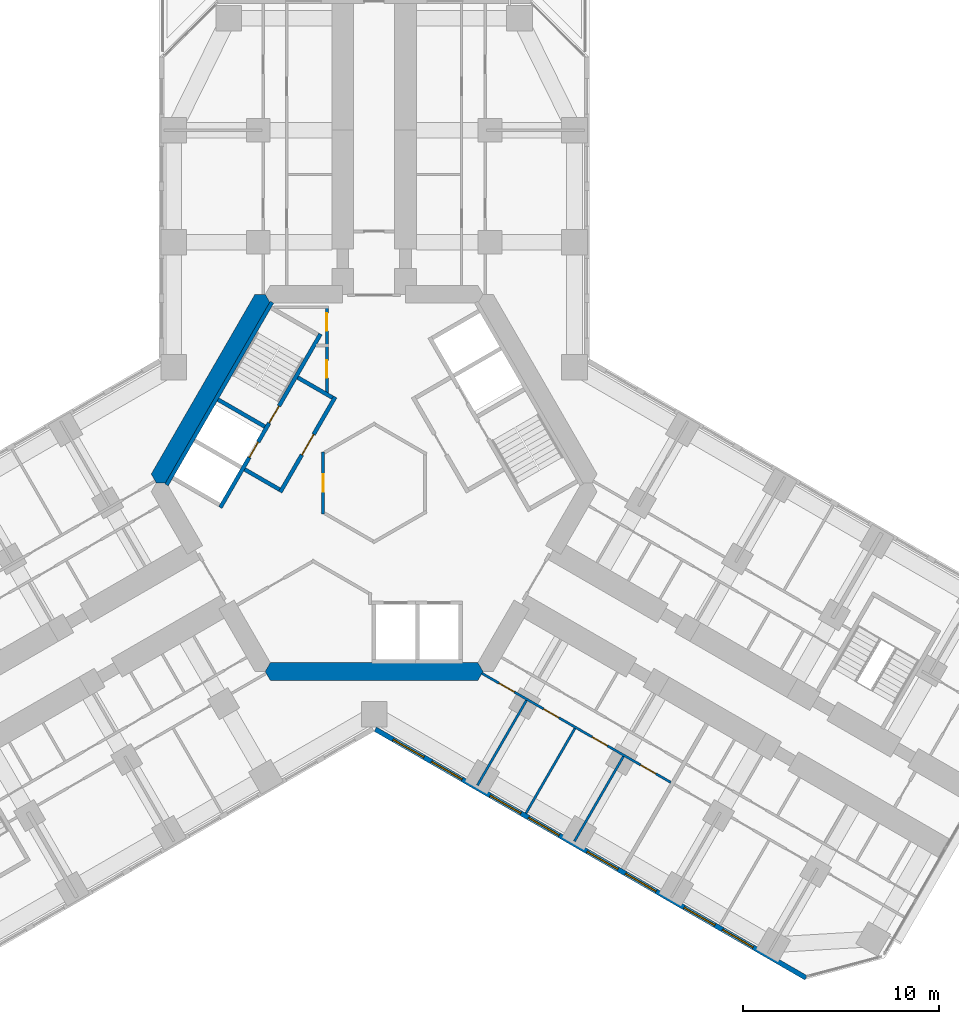
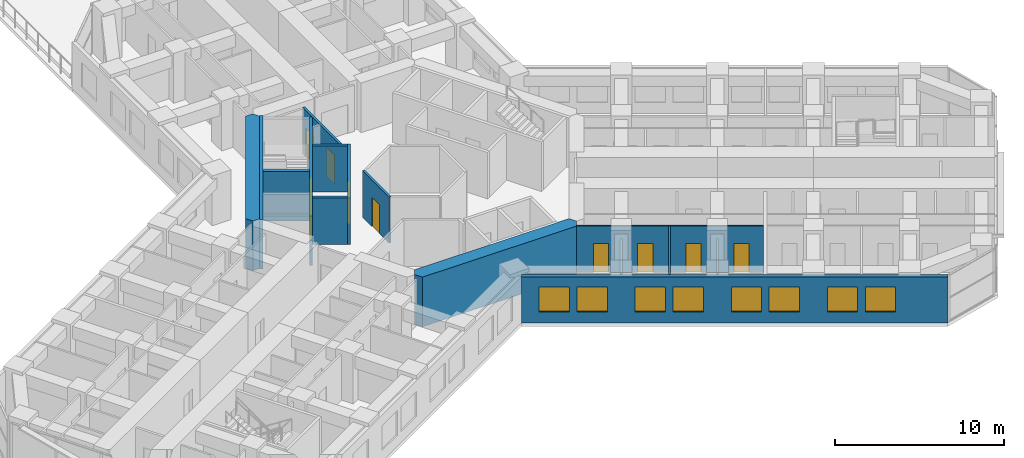
# One storey, part 13 of 19: 15 walls, 10 doors, 8 windows, 18 openings.
"""IFC4 building model written with IfcOpenShell, lengths in metres."""

import ifcopenshell
import ifcopenshell.guid

model = None  # the IFC model being written
_history = None  # IfcOwnerHistory: only IFC2X3 demands one
_inside = {}  # id of a spatial element -> (the spatial element, [elements in it])
_under = {}  # id of a project, library or spatial element -> (it, [spatial elements below it])
_declared = {}  # id of a project -> (the project, [libraries it declares])
_typed = {}  # id of a type object -> (the type object, [elements of that type])
_made_of = {}  # id of a material, layer set ... -> (it, [elements and type objects made of it])


def new_model(schema):
    """Start an empty IFC model of exactly this schema.

    Asked for "IFC4X3", IfcOpenShell would pick the latest addendum, in which some entities
    have other attributes; the version numbers below select the first issue.
    IFC2X3 requires an IfcOwnerHistory on every rooted entity: one is made here for all.
    """
    global model, _history
    if schema == "IFC4X3":
        model = ifcopenshell.file(schema_version=(4, 3, 0, 0))
    else:
        model = ifcopenshell.file(schema=schema)
    _inside.clear()
    _under.clear()
    _declared.clear()
    _typed.clear()
    _made_of.clear()
    _history = None
    if model.schema == "IFC2X3":
        org = make("IfcOrganization", Name="unknown")
        user = make(
            "IfcPersonAndOrganization",
            ThePerson=make("IfcPerson", FamilyName="unknown"),
            TheOrganization=org,
        )
        app = make(
            "IfcApplication",
            ApplicationDeveloper=org,
            Version="unknown",
            ApplicationFullName="unknown",
            ApplicationIdentifier="unknown",
        )
        _history = make(
            "IfcOwnerHistory",
            OwningUser=user,
            OwningApplication=app,
            ChangeAction="ADDED",
            CreationDate=0,
        )
    return model


def make(cls, **values):
    """One entity of the class cls with the attributes given. An attribute that is None is left unset."""
    return model.create_entity(
        cls, **{name: value for name, value in values.items() if value is not None}
    )


def rooted(cls, **values):
    """An entity with a GlobalId (a new one), such as an element, a storey or a relation."""
    return make(cls, GlobalId=ifcopenshell.guid.new(), OwnerHistory=_history, **values)


def si_unit(unit_type, name, prefix=None):
    """IfcSIUnit, for example si_unit("LENGTHUNIT", "METRE", prefix="MILLI")."""
    return make("IfcSIUnit", UnitType=unit_type, Prefix=prefix, Name=name)


def assignment(units):
    """IfcUnitAssignment: the units of a project."""
    return None if units is None else make("IfcUnitAssignment", Units=units)


def point(xyz):
    """IfcCartesianPoint."""
    return None if xyz is None else make("IfcCartesianPoint", Coordinates=xyz)


def direction(xyz):
    """IfcDirection."""
    return None if xyz is None else make("IfcDirection", DirectionRatios=xyz)


def frame(location, z_axis=None, x_axis=None):
    """IfcAxis2Placement3D, a coordinate frame: its origin and axes. An axis left out is left unset."""
    return make(
        "IfcAxis2Placement3D",
        Location=point(location),
        Axis=direction(z_axis),
        RefDirection=direction(x_axis),
    )


def frame_2d(location, x_axis=None):
    """IfcAxis2Placement2D, a coordinate frame in the plane: its origin and x axis."""
    return make(
        "IfcAxis2Placement2D", Location=point(location), RefDirection=direction(x_axis)
    )


def origin():
    """The frame at (0, 0, 0) with its axes left unset."""
    return frame((0.0, 0.0, 0.0))


def place(relative_to, where):
    """IfcLocalPlacement: puts the frame where relative to a parent placement (None: the world)."""
    return make(
        "IfcLocalPlacement", PlacementRelTo=relative_to, RelativePlacement=where
    )


def context(
    kind, dimensions, precision=None, world=None, true_north=None, identifier=None
):
    """IfcGeometricRepresentationContext, for example the 3D "Model" context."""
    return make(
        "IfcGeometricRepresentationContext",
        ContextIdentifier=identifier,
        ContextType=kind,
        CoordinateSpaceDimension=dimensions,
        Precision=precision,
        WorldCoordinateSystem=world,
        TrueNorth=true_north,
    )


def subcontext(parent, identifier, kind, view, scale=None):
    """IfcGeometricRepresentationSubContext, for example "Body" below "Model"."""
    return make(
        "IfcGeometricRepresentationSubContext",
        ContextIdentifier=identifier,
        ContextType=kind,
        ParentContext=parent,
        TargetScale=scale,
        TargetView=view,
    )


def project(units=None, contexts=None):
    """IfcProject with its units and contexts."""
    return rooted(
        "IfcProject",
        Name="project",
        RepresentationContexts=contexts,
        UnitsInContext=assignment(units),
    )


def spatial(cls, under=None, at=None, **own):
    """A site, building, storey or space (cls), placed at a placement, below another one or the project."""
    s = rooted(cls, ObjectPlacement=at, **own)
    if under is not None:
        _under.setdefault(under.id(), (under, []))[1].append(s)
    return s


def polyline(points):
    """IfcPolyline through the points."""
    return make("IfcPolyline", Points=[point(p) for p in points])


def profile(cls, at=None, kind="AREA", **sizes):
    """A parametric profile (cls). Its sizes go by their IFC names, for example OverallWidth=200.0."""
    return make(cls, ProfileType=kind, Position=at, **sizes)


def rectangle(**sizes):
    """IfcRectangleProfileDef."""
    return profile("IfcRectangleProfileDef", **sizes)


def outline(outer, holes=None, kind="AREA"):
    """IfcArbitraryClosedProfileDef: a profile drawn as a closed curve; with holes, ...WithVoids."""
    if holes is None:
        return make("IfcArbitraryClosedProfileDef", ProfileType=kind, OuterCurve=outer)
    return make(
        "IfcArbitraryProfileDefWithVoids",
        ProfileType=kind,
        OuterCurve=outer,
        InnerCurves=holes,
    )


def extrude(swept, where, along, depth):
    """IfcExtrudedAreaSolid: the profile swept, set in the frame where, extruded along a direction by depth."""
    return make(
        "IfcExtrudedAreaSolid",
        SweptArea=swept,
        Position=where,
        ExtrudedDirection=direction(along),
        Depth=depth,
    )


def shape(context_of_items, identifier, shape_type, items):
    """IfcShapeRepresentation: the items that make up one representation, for example the "Body"."""
    return make(
        "IfcShapeRepresentation",
        ContextOfItems=context_of_items,
        RepresentationIdentifier=identifier,
        RepresentationType=shape_type,
        Items=items,
    )


def material(Name=None, Category=None):
    """IfcMaterial."""
    return make("IfcMaterial", Name=Name, Category=Category)


def layer(
    of_material, thickness, ventilated=None, Name=None, Category=None, Priority=None
):
    """IfcMaterialLayer: one layer of a wall or slab, of a material (None: an air gap)."""
    return make(
        "IfcMaterialLayer",
        Material=of_material,
        LayerThickness=thickness,
        IsVentilated=ventilated,
        Name=Name,
        Category=Category,
        Priority=Priority,
    )


def layer_set(layers, Name=None):
    """IfcMaterialLayerSet."""
    return make("IfcMaterialLayerSet", MaterialLayers=layers, LayerSetName=Name)


def made_of(thing, what):
    """Note that an element or type object is made of a material, layer set ...; save() writes the relation."""
    if what is not None:
        _made_of.setdefault(what.id(), (what, []))[1].append(thing)
    return thing


def type_object(cls, material=None, **own):
    """A type object (cls), such as IfcWallType, which elements share."""
    return made_of(rooted(cls, **own), material)


def element(
    cls,
    number,
    at=None,
    inside=None,
    cuts=None,
    type_object=None,
    material=None,
    context=None,
    identifier="Body",
    shape_type=None,
    held_by="IfcProductDefinitionShape",
    body=None,
    shapes=None,
    **own,
):
    """One element of the class cls, such as IfcWall. Its Tag is "e" and its number.

    at: its placement. inside: the storey or other place that contains it. cuts: it is an
    opening in that element (IfcRelVoidsElement). A single representation is given by context,
    identifier, shape_type and body (its items); several are given by shapes. held_by: the class
    of the entity that holds the representations. save() writes the other relations.
    """
    e = rooted(cls, Tag="e%d" % number, ObjectPlacement=at, **own)
    if body is not None:
        shapes = [shape(context, identifier, shape_type, body)]
    if shapes is not None:
        e.Representation = make(held_by, Representations=shapes)
    if inside is not None:
        _inside.setdefault(inside.id(), (inside, []))[1].append(e)
    if cuts is not None:
        rooted(
            "IfcRelVoidsElement", RelatingBuildingElement=cuts, RelatedOpeningElement=e
        )
    if type_object is not None:
        _typed.setdefault(type_object.id(), (type_object, []))[1].append(e)
    return made_of(e, material)


def fill(opening, filler):
    """IfcRelFillsElement: the door or window that sits in an opening."""
    return rooted(
        "IfcRelFillsElement",
        RelatingOpeningElement=opening,
        RelatedBuildingElement=filler,
    )


def aggregate(whole, parts):
    """IfcRelAggregates: a whole, such as a stair, and the parts it consists of."""
    return rooted("IfcRelAggregates", RelatingObject=whole, RelatedObjects=parts)


def save(model, path):
    """Write the relations noted so far, then the file.

    IfcRelAggregates (storeys below a building ...), IfcRelContainedInSpatialStructure (elements
    in a storey), IfcRelDefinesByType, IfcRelAssociatesMaterial and IfcRelDeclares: one each for
    every whole, place, type object, material and project.
    """
    for whole, parts in _under.values():
        aggregate(whole, parts)
    for where, things in _inside.values():
        rooted(
            "IfcRelContainedInSpatialStructure",
            RelatedElements=things,
            RelatingStructure=where,
        )
    for kind, things in _typed.values():
        rooted("IfcRelDefinesByType", RelatedObjects=things, RelatingType=kind)
    for what, things in _made_of.values():
        rooted("IfcRelAssociatesMaterial", RelatedObjects=things, RelatingMaterial=what)
    for by, libraries in _declared.values():
        rooted("IfcRelDeclares", RelatingContext=by, RelatedDefinitions=libraries)
    model.write(path)


model = new_model("IFC4")

# Units and contexts
model_context = context("Model", 3, precision=1e-05, world=origin(), true_north=direction((0.0, 1.0)))
body_context = subcontext(model_context, "Body", "Model", "MODEL_VIEW")
ifc_project = project(units=[si_unit("LENGTHUNIT", "METRE"), si_unit("AREAUNIT", "SQUARE_METRE"), si_unit("VOLUMEUNIT", "CUBIC_METRE"), si_unit("PLANEANGLEUNIT", "RADIAN"), si_unit("MASSUNIT", "GRAM", prefix="KILO")], contexts=[model_context])

# Site, building, storey
site_placement = place(None, origin())
site = spatial("IfcSite", under=ifc_project, at=site_placement, CompositionType="ELEMENT")
building_placement = place(site_placement, origin())
building = spatial("IfcBuilding", under=site, at=building_placement, Name="Kosmar Iwan School Tower", CompositionType="ELEMENT")
storey_placement = place(building_placement, frame((0.0, 0.0, 120.199951171875)))
storey = spatial("IfcBuildingStorey", under=building, at=storey_placement, Name="L29", CompositionType="ELEMENT", Elevation=120.199951171875)

# Wall, openings, doors
ifc_material_1 = material(Name="Gypsum board on steel studs, fire-rated", Category="steel")
ifc_layer_1 = layer(ifc_material_1, 0.14990234375)
ifc_layer_set_1 = layer_set([ifc_layer_1], Name="Core room partition 150")
wall_type_1 = type_object("IfcWallType", Name="Core room partition 150", PredefinedType="PARTITIONING", material=ifc_layer_set_1)
wall_1_placement = place(storey_placement, frame((-2.39990234375, 9.014892578125, 0.0), z_axis=(0.0, 0.0, 1.0), x_axis=(0.0, -1.0, 0.0)))
wall_1 = element("IfcWall", 1, at=wall_1_placement, inside=storey, type_object=wall_type_1, Name="Core room partition L29-CW1", PredefinedType="PARTITIONING", context=body_context, shape_type="SweptSolid", body=[
    extrude(rectangle(XDim=4.484130859375, YDim=0.14990234375, at=frame_2d((2.2421875, 0.0))), origin(), (0.0, 0.0, 1.0), 3.35009765625),
])
opening_1_placement = place(wall_1_placement, frame((0.375, 0.0, 0.0)))
opening_1 = element("IfcOpeningElement", 2, at=opening_1_placement, cuts=wall_1, Name="Opening D14", PredefinedType="OPENING", context=body_context, shape_type="SweptSolid", body=[
    extrude(rectangle(XDim=0.89990234375, YDim=2.10009765625, at=frame_2d((0.449951171875, 1.050048828125))), frame((0.0, 0.0869140625, 0.0), z_axis=(0.0, -1.0, 0.0), x_axis=(1.0, 0.0, 0.0)), (0.0, 0.0, 1.0), 0.173828125),
])
opening_2_placement = place(wall_1_placement, frame((2.77490234375, 0.0, 0.0)))
opening_2 = element("IfcOpeningElement", 3, at=opening_2_placement, cuts=wall_1, Name="Opening D14", PredefinedType="OPENING", context=body_context, shape_type="SweptSolid", body=[
    extrude(rectangle(XDim=0.89990234375, YDim=2.10009765625, at=frame_2d((0.449951171875, 1.050048828125))), frame((0.0, 0.0869140625, 0.0), z_axis=(0.0, -1.0, 0.0), x_axis=(1.0, 0.0, 0.0)), (0.0, 0.0, 1.0), 0.173828125),
])
ifc_material_2 = material(Name="Timber fire door in steel frame", Category="steel")
door_type_1 = type_object("IfcDoorType", Name="Core room door 900x2100", OperationType="SINGLE_SWING_LEFT", PredefinedType="DOOR", material=ifc_material_2)
door_1_placement = place(opening_1_placement, origin())
door_1 = element("IfcDoor", 4, at=door_1_placement, inside=storey, type_object=door_type_1, Name="Electrical riser and switch room door L29 1", OperationType="SINGLE_SWING_LEFT", OverallHeight=2.10009765625, OverallWidth=0.89990234375, PredefinedType="DOOR", context=body_context, shape_type="SweptSolid", body=[
    extrude(rectangle(XDim=0.89990234375, YDim=2.10009765625, at=frame_2d((0.449951171875, 1.050048828125))), frame((0.0, 0.02490234375, 0.0), z_axis=(0.0, -1.0, 0.0), x_axis=(1.0, 0.0, 0.0)), (0.0, 0.0, 1.0), 0.050048828125),
])
fill(opening_1, door_1)
door_2_placement = place(opening_2_placement, origin())
door_2 = element("IfcDoor", 5, at=door_2_placement, inside=storey, type_object=door_type_1, Name="Plumbing and wet riser door L29 2", OperationType="SINGLE_SWING_RIGHT", OverallHeight=2.10009765625, OverallWidth=0.89990234375, PredefinedType="DOOR", context=body_context, shape_type="SweptSolid", body=[
    extrude(rectangle(XDim=0.89990234375, YDim=2.10009765625, at=frame_2d((0.449951171875, 1.050048828125))), frame((0.0, 0.02490234375, 0.0), z_axis=(0.0, -1.0, 0.0), x_axis=(1.0, 0.0, 0.0)), (0.0, 0.0, 1.0), 0.050048828125),
])
fill(opening_2, door_2)

# Wall, opening, door
wall_2_placement = place(storey_placement, frame((-2.60009765625, -1.576171875, 0.0), z_axis=(0.0, 0.0, 1.0), x_axis=(0.0, 1.0, 0.0)))
wall_2 = element("IfcWall", 6, at=wall_2_placement, inside=storey, type_object=wall_type_1, Name="Core room partition L29-CW10", PredefinedType="PARTITIONING", context=body_context, shape_type="SweptSolid", body=[
    extrude(rectangle(XDim=3.15234375, YDim=0.14990234375, at=frame_2d((1.576171875, 0.0))), origin(), (0.0, 0.0, 1.0), 3.35009765625),
])
opening_3_placement = place(wall_2_placement, frame((1.1259765625, 0.0, 0.0)))
opening_3 = element("IfcOpeningElement", 7, at=opening_3_placement, cuts=wall_2, Name="Opening D14", PredefinedType="OPENING", context=body_context, shape_type="SweptSolid", body=[
    extrude(rectangle(XDim=0.89990234375, YDim=2.10009765625, at=frame_2d((0.449951171875, 1.050048828125))), frame((0.0, 0.0869140625, 0.0), z_axis=(0.0, -1.0, 0.0), x_axis=(1.0, 0.0, 0.0)), (0.0, 0.0, 1.0), 0.173828125),
])
door_3_placement = place(opening_3_placement, origin())
door_3 = element("IfcDoor", 8, at=door_3_placement, inside=storey, type_object=door_type_1, Name="Bicycle repair room door L29 4", OperationType="SINGLE_SWING_RIGHT", OverallHeight=2.10009765625, OverallWidth=0.89990234375, PredefinedType="DOOR", context=body_context, shape_type="SweptSolid", body=[
    extrude(rectangle(XDim=0.89990234375, YDim=2.10009765625, at=frame_2d((0.449951171875, 1.050048828125))), frame((0.0, 0.02490234375, 0.0), z_axis=(0.0, -1.0, 0.0), x_axis=(1.0, 0.0, 0.0)), (0.0, 0.0, 1.0), 0.050048828125),
])
fill(opening_3, door_3)

# Walls
ifc_material_3 = material(Name="Concrete C50/60", Category="concrete")
ifc_layer_2 = layer(ifc_material_3, 0.89990234375)
ifc_layer_set_2 = layer_set([ifc_layer_2], Name="Core wall 900")
wall_type_2 = type_object("IfcWallType", Name="Core wall 900", PredefinedType="SHEAR", material=ifc_layer_set_2)
wall_3_placement = place(storey_placement, origin())
element("IfcWall", 9, at=wall_3_placement, inside=storey, type_object=wall_type_2, Name="Core wall F150", PredefinedType="SHEAR", context=body_context, shape_type="SweptSolid", body=[
    extrude(outline(polyline([(-11.085205078125, 0.0), (-10.5654296875, 0.0), (-5.28271484375, 9.14990234375), (-5.54248046875, 9.60009765625), (-6.062255859375, 9.60009765625), (-11.344970703125, 0.449951171875), (-11.085205078125, 0.0)])), origin(), (0.0, 0.0, 1.0), 3.60009765625),
])
wall_4_placement = place(storey_placement, origin())
element("IfcWall", 10, at=wall_4_placement, inside=storey, type_object=wall_type_2, Name="Core wall F270", PredefinedType="SHEAR", context=body_context, shape_type="SweptSolid", body=[
    extrude(outline(polyline([(-5.28271484375, -10.050048828125), (5.28271484375, -10.050048828125), (5.54248046875, -9.60009765625), (5.28271484375, -9.14990234375), (-5.28271484375, -9.14990234375), (-5.54248046875, -9.60009765625), (-5.28271484375, -10.050048828125)])), origin(), (0.0, 0.0, 1.0), 3.60009765625),
])

# Wall, openings, doors
ifc_material_4 = material(Name="Gypsum board on steel studs", Category="steel")
ifc_layer_3 = layer(ifc_material_4, 0.1201171875)
ifc_layer_set_3 = layer_set([ifc_layer_3], Name="Dwelling partition 120")
wall_type_3 = type_object("IfcWallType", Name="Dwelling partition 120", PredefinedType="PARTITIONING", material=ifc_layer_set_3)
wall_5_placement = place(storey_placement, frame((5.48876953125, -9.693115234375, 0.0), z_axis=(0.0, 0.0, 1.0), x_axis=(0.866026992824, -0.499997247692, 0.0)))
wall_5 = element("IfcWall", 11, at=wall_5_placement, inside=storey, type_object=wall_type_3, Name="Partition L29-CR1-W2", PredefinedType="PARTITIONING", context=body_context, shape_type="SweptSolid", body=[
    extrude(rectangle(XDim=11.10009765625, YDim=0.1201171875, at=frame_2d((5.550048828125, 0.0))), origin(), (0.0, 0.0, 1.0), 3.35009765625),
])
opening_4_placement = place(wall_5_placement, frame((1.0, 0.0, 0.0)))
opening_4 = element("IfcOpeningElement", 12, at=opening_4_placement, cuts=wall_5, Name="Opening D2", PredefinedType="OPENING", context=body_context, shape_type="SweptSolid", body=[
    extrude(rectangle(XDim=0.89990234375, YDim=2.10009765625, at=frame_2d((0.449951171875, 1.050048828125))), frame((0.0, 0.072021484375, 0.0), z_axis=(0.0, -1.0, 0.0), x_axis=(1.0, 0.0, 0.0)), (0.0, 0.0, 1.0), 0.14404296875),
])
opening_5_placement = place(wall_5_placement, frame((3.625, 0.0, 0.0)))
opening_5 = element("IfcOpeningElement", 13, at=opening_5_placement, cuts=wall_5, Name="Opening D2", PredefinedType="OPENING", context=body_context, shape_type="SweptSolid", body=[
    extrude(rectangle(XDim=0.89990234375, YDim=2.10009765625, at=frame_2d((0.449951171875, 1.050048828125))), frame((0.0, 0.072021484375, 0.0), z_axis=(0.0, -1.0, 0.0), x_axis=(1.0, 0.0, 0.0)), (0.0, 0.0, 1.0), 0.14404296875),
])
opening_6_placement = place(wall_5_placement, frame((6.47509765625, 0.0, 0.0)))
opening_6 = element("IfcOpeningElement", 14, at=opening_6_placement, cuts=wall_5, Name="Opening D2", PredefinedType="OPENING", context=body_context, shape_type="SweptSolid", body=[
    extrude(rectangle(XDim=0.89990234375, YDim=2.10009765625, at=frame_2d((0.449951171875, 1.050048828125))), frame((0.0, 0.072021484375, 0.0), z_axis=(0.0, -1.0, 0.0), x_axis=(1.0, 0.0, 0.0)), (0.0, 0.0, 1.0), 0.14404296875),
])
opening_7_placement = place(wall_5_placement, frame((9.324951171875, 0.0, 0.0)))
opening_7 = element("IfcOpeningElement", 15, at=opening_7_placement, cuts=wall_5, Name="Opening D2", PredefinedType="OPENING", context=body_context, shape_type="SweptSolid", body=[
    extrude(rectangle(XDim=0.89990234375, YDim=2.10009765625, at=frame_2d((0.449951171875, 1.050048828125))), frame((0.0, 0.072021484375, 0.0), z_axis=(0.0, -1.0, 0.0), x_axis=(1.0, 0.0, 0.0)), (0.0, 0.0, 1.0), 0.14404296875),
])
ifc_material_5 = material(Name="Timber door in timber frame", Category="wood")
door_type_2 = type_object("IfcDoorType", Name="Internal door 900x2100", OperationType="SINGLE_SWING_LEFT", PredefinedType="DOOR", material=ifc_material_5)
door_4_placement = place(opening_4_placement, origin())
door_4 = element("IfcDoor", 16, at=door_4_placement, inside=storey, type_object=door_type_2, Name="Living room and kitchen door L29-CR1-F1", OperationType="SINGLE_SWING_LEFT", OverallHeight=2.10009765625, OverallWidth=0.89990234375, PredefinedType="DOOR", context=body_context, shape_type="SweptSolid", body=[
    extrude(rectangle(XDim=0.89990234375, YDim=2.10009765625, at=frame_2d((0.449951171875, 1.050048828125))), frame((0.0, 0.02490234375, 0.0), z_axis=(0.0, -1.0, 0.0), x_axis=(1.0, 0.0, 0.0)), (0.0, 0.0, 1.0), 0.050048828125),
])
fill(opening_4, door_4)
door_5_placement = place(opening_5_placement, origin())
door_5 = element("IfcDoor", 17, at=door_5_placement, inside=storey, type_object=door_type_2, Name="Study door L29-CR1-F2", OperationType="SINGLE_SWING_LEFT", OverallHeight=2.10009765625, OverallWidth=0.89990234375, PredefinedType="DOOR", context=body_context, shape_type="SweptSolid", body=[
    extrude(rectangle(XDim=0.89990234375, YDim=2.10009765625, at=frame_2d((0.449951171875, 1.050048828125))), frame((0.0, 0.02490234375, 0.0), z_axis=(0.0, -1.0, 0.0), x_axis=(1.0, 0.0, 0.0)), (0.0, 0.0, 1.0), 0.050048828125),
])
fill(opening_5, door_5)
door_6_placement = place(opening_6_placement, origin())
door_6 = element("IfcDoor", 18, at=door_6_placement, inside=storey, type_object=door_type_2, Name="Study door L29-CR1-F3", OperationType="SINGLE_SWING_RIGHT", OverallHeight=2.10009765625, OverallWidth=0.89990234375, PredefinedType="DOOR", context=body_context, shape_type="SweptSolid", body=[
    extrude(rectangle(XDim=0.89990234375, YDim=2.10009765625, at=frame_2d((0.449951171875, 1.050048828125))), frame((0.0, 0.02490234375, 0.0), z_axis=(0.0, -1.0, 0.0), x_axis=(1.0, 0.0, 0.0)), (0.0, 0.0, 1.0), 0.050048828125),
])
fill(opening_6, door_6)
door_7_placement = place(opening_7_placement, origin())
door_7 = element("IfcDoor", 19, at=door_7_placement, inside=storey, type_object=door_type_2, Name="Bedroom 1 door L29-CR1-F4", OperationType="SINGLE_SWING_RIGHT", OverallHeight=2.10009765625, OverallWidth=0.89990234375, PredefinedType="DOOR", context=body_context, shape_type="SweptSolid", body=[
    extrude(rectangle(XDim=0.89990234375, YDim=2.10009765625, at=frame_2d((0.449951171875, 1.050048828125))), frame((0.0, 0.02490234375, 0.0), z_axis=(0.0, -1.0, 0.0), x_axis=(1.0, 0.0, 0.0)), (0.0, 0.0, 1.0), 0.050048828125),
])
fill(opening_7, door_7)

# Walls
wall_6_placement = place(storey_placement, frame((7.75390625, -11.070068359375, 0.0), z_axis=(0.0, 0.0, 1.0), x_axis=(-0.500033033937, -0.866006330792, 0.0)))
element("IfcWall", 20, at=wall_6_placement, inside=storey, type_object=wall_type_3, Name="Partition L29-CR1-X1", PredefinedType="PARTITIONING", context=body_context, shape_type="SweptSolid", body=[
    extrude(rectangle(XDim=4.989990234375, YDim=0.1201171875, at=frame_2d((2.4951171875, 0.0))), origin(), (0.0, 0.0, 1.0), 2.449951171875),
])
wall_7_placement = place(storey_placement, frame((10.221923828125, -12.4951171875, 0.0), z_axis=(0.0, 0.0, 1.0), x_axis=(-0.499996339024, -0.86602751744, 0.0)))
element("IfcWall", 21, at=wall_7_placement, inside=storey, type_object=wall_type_3, Name="Partition L29-CR1-X2", PredefinedType="PARTITIONING", context=body_context, shape_type="SweptSolid", body=[
    extrude(rectangle(XDim=4.98974609375, YDim=0.1201171875, at=frame_2d((2.494873046875, 0.0))), origin(), (0.0, 0.0, 1.0), 3.35009765625),
])
wall_8_placement = place(storey_placement, frame((12.690185546875, -13.919921875, 0.0), z_axis=(0.0, 0.0, 1.0), x_axis=(-0.500011847778, -0.866018563358, 0.0)))
element("IfcWall", 22, at=wall_8_placement, inside=storey, type_object=wall_type_3, Name="Partition L29-CR1-X3", PredefinedType="PARTITIONING", context=body_context, shape_type="SweptSolid", body=[
    extrude(rectangle(XDim=4.990234375, YDim=0.1201171875, at=frame_2d((2.4951171875, 0.0))), origin(), (0.0, 0.0, 1.0), 2.449951171875),
])

# Wall, openings, windows
ifc_material_6 = material(Name="Black aluminium rainscreen on insulated framing", Category="aluminium")
ifc_layer_4 = layer(ifc_material_6, 0.25)
ifc_layer_set_4 = layer_set([ifc_layer_4], Name="External wall rainscreen 250")
wall_type_4 = type_object("IfcWallType", Name="External wall rainscreen 250", PredefinedType="SOLIDWALL", material=ifc_layer_set_4)
wall_9_placement = place(storey_placement, frame((0.063232421875, -12.5361328125, 0.0), z_axis=(0.0, 0.0, 1.0), x_axis=(0.866026575979, -0.499997969693, 0.0)))
wall_9 = element("IfcWall", 23, at=wall_9_placement, inside=storey, type_object=wall_type_4, Name="External wall CR L29", PredefinedType="SOLIDWALL", context=body_context, shape_type="SweptSolid", body=[
    extrude(rectangle(XDim=25.3125, YDim=0.25, at=frame_2d((12.65625, 0.0))), origin(), (0.0, 0.0, 1.0), 3.35009765625),
])
opening_8_placement = place(wall_9_placement, frame((1.052001953125, 0.0, 0.800048828125)))
opening_8 = element("IfcOpeningElement", 24, at=opening_8_placement, cuts=wall_9, Name="Opening W1", PredefinedType="OPENING", context=body_context, shape_type="SweptSolid", body=[
    extrude(rectangle(XDim=1.800048828125, YDim=1.800048828125, at=frame_2d((0.89990234375, 0.89990234375))), frame((0.0, 0.136962890625, 0.0), z_axis=(0.0, -1.0, 0.0), x_axis=(1.0, 0.0, 0.0)), (0.0, 0.0, 1.0), 0.27392578125),
])
opening_9_placement = place(wall_9_placement, frame((3.302001953125, 0.0, 0.800048828125)))
opening_9 = element("IfcOpeningElement", 25, at=opening_9_placement, cuts=wall_9, Name="Opening W1", PredefinedType="OPENING", context=body_context, shape_type="SweptSolid", body=[
    extrude(rectangle(XDim=1.800048828125, YDim=1.800048828125, at=frame_2d((0.89990234375, 0.89990234375))), frame((0.0, 0.136962890625, 0.0), z_axis=(0.0, -1.0, 0.0), x_axis=(1.0, 0.0, 0.0)), (0.0, 0.0, 1.0), 0.27392578125),
])
opening_10_placement = place(wall_9_placement, frame((6.751953125, 0.0, 0.800048828125)))
opening_10 = element("IfcOpeningElement", 26, at=opening_10_placement, cuts=wall_9, Name="Opening W1", PredefinedType="OPENING", context=body_context, shape_type="SweptSolid", body=[
    extrude(rectangle(XDim=1.800048828125, YDim=1.800048828125, at=frame_2d((0.89990234375, 0.89990234375))), frame((0.0, 0.136962890625, 0.0), z_axis=(0.0, -1.0, 0.0), x_axis=(1.0, 0.0, 0.0)), (0.0, 0.0, 1.0), 0.27392578125),
])
opening_11_placement = place(wall_9_placement, frame((9.001953125, 0.0, 0.800048828125)))
opening_11 = element("IfcOpeningElement", 27, at=opening_11_placement, cuts=wall_9, Name="Opening W1", PredefinedType="OPENING", context=body_context, shape_type="SweptSolid", body=[
    extrude(rectangle(XDim=1.800048828125, YDim=1.800048828125, at=frame_2d((0.89990234375, 0.89990234375))), frame((0.0, 0.136962890625, 0.0), z_axis=(0.0, -1.0, 0.0), x_axis=(1.0, 0.0, 0.0)), (0.0, 0.0, 1.0), 0.27392578125),
])
opening_12_placement = place(wall_9_placement, frame((12.4521484375, 0.0, 0.800048828125)))
opening_12 = element("IfcOpeningElement", 28, at=opening_12_placement, cuts=wall_9, Name="Opening W1", PredefinedType="OPENING", context=body_context, shape_type="SweptSolid", body=[
    extrude(rectangle(XDim=1.800048828125, YDim=1.800048828125, at=frame_2d((0.89990234375, 0.89990234375))), frame((0.0, 0.136962890625, 0.0), z_axis=(0.0, -1.0, 0.0), x_axis=(1.0, 0.0, 0.0)), (0.0, 0.0, 1.0), 0.27392578125),
])
opening_13_placement = place(wall_9_placement, frame((14.7021484375, 0.0, 0.800048828125)))
opening_13 = element("IfcOpeningElement", 29, at=opening_13_placement, cuts=wall_9, Name="Opening W1", PredefinedType="OPENING", context=body_context, shape_type="SweptSolid", body=[
    extrude(rectangle(XDim=1.800048828125, YDim=1.800048828125, at=frame_2d((0.89990234375, 0.89990234375))), frame((0.0, 0.136962890625, 0.0), z_axis=(0.0, -1.0, 0.0), x_axis=(1.0, 0.0, 0.0)), (0.0, 0.0, 1.0), 0.27392578125),
])
opening_14_placement = place(wall_9_placement, frame((18.152099609375, 0.0, 0.800048828125)))
opening_14 = element("IfcOpeningElement", 30, at=opening_14_placement, cuts=wall_9, Name="Opening W1", PredefinedType="OPENING", context=body_context, shape_type="SweptSolid", body=[
    extrude(rectangle(XDim=1.800048828125, YDim=1.800048828125, at=frame_2d((0.89990234375, 0.89990234375))), frame((0.0, 0.136962890625, 0.0), z_axis=(0.0, -1.0, 0.0), x_axis=(1.0, 0.0, 0.0)), (0.0, 0.0, 1.0), 0.27392578125),
])
opening_15_placement = place(wall_9_placement, frame((20.402099609375, 0.0, 0.800048828125)))
opening_15 = element("IfcOpeningElement", 31, at=opening_15_placement, cuts=wall_9, Name="Opening W1", PredefinedType="OPENING", context=body_context, shape_type="SweptSolid", body=[
    extrude(rectangle(XDim=1.800048828125, YDim=1.800048828125, at=frame_2d((0.89990234375, 0.89990234375))), frame((0.0, 0.136962890625, 0.0), z_axis=(0.0, -1.0, 0.0), x_axis=(1.0, 0.0, 0.0)), (0.0, 0.0, 1.0), 0.27392578125),
])
ifc_material_7 = material(Name="Black aluminium frame with dark triple glazing", Category="aluminium")
window_type = type_object("IfcWindowType", Name="Window 1800x1800", PartitioningType="SINGLE_PANEL", PredefinedType="WINDOW", material=ifc_material_7)
window_1_placement = place(opening_8_placement, origin())
window_1 = element("IfcWindow", 32, at=window_1_placement, inside=storey, type_object=window_type, Name="Window CR L29 -1", OverallHeight=1.800048828125, OverallWidth=1.800048828125, PartitioningType="SINGLE_PANEL", PredefinedType="WINDOW", context=body_context, shape_type="SweptSolid", body=[
    extrude(rectangle(XDim=1.800048828125, YDim=1.800048828125, at=frame_2d((0.89990234375, 0.89990234375))), frame((0.0, 0.030029296875, 0.0), z_axis=(0.0, -1.0, 0.0), x_axis=(1.0, 0.0, 0.0)), (0.0, 0.0, 1.0), 0.06005859375),
])
fill(opening_8, window_1)
window_2_placement = place(opening_9_placement, origin())
window_2 = element("IfcWindow", 33, at=window_2_placement, inside=storey, type_object=window_type, Name="Window CR L29 0", OverallHeight=1.800048828125, OverallWidth=1.800048828125, PartitioningType="SINGLE_PANEL", PredefinedType="WINDOW", context=body_context, shape_type="SweptSolid", body=[
    extrude(rectangle(XDim=1.800048828125, YDim=1.800048828125, at=frame_2d((0.89990234375, 0.89990234375))), frame((0.0, 0.030029296875, 0.0), z_axis=(0.0, -1.0, 0.0), x_axis=(1.0, 0.0, 0.0)), (0.0, 0.0, 1.0), 0.06005859375),
])
fill(opening_9, window_2)
window_3_placement = place(opening_10_placement, origin())
window_3 = element("IfcWindow", 34, at=window_3_placement, inside=storey, type_object=window_type, Name="Window CR L29 1", OverallHeight=1.800048828125, OverallWidth=1.800048828125, PartitioningType="SINGLE_PANEL", PredefinedType="WINDOW", context=body_context, shape_type="SweptSolid", body=[
    extrude(rectangle(XDim=1.800048828125, YDim=1.800048828125, at=frame_2d((0.89990234375, 0.89990234375))), frame((0.0, 0.030029296875, 0.0), z_axis=(0.0, -1.0, 0.0), x_axis=(1.0, 0.0, 0.0)), (0.0, 0.0, 1.0), 0.06005859375),
])
fill(opening_10, window_3)
window_4_placement = place(opening_11_placement, origin())
window_4 = element("IfcWindow", 35, at=window_4_placement, inside=storey, type_object=window_type, Name="Window CR L29 2", OverallHeight=1.800048828125, OverallWidth=1.800048828125, PartitioningType="SINGLE_PANEL", PredefinedType="WINDOW", context=body_context, shape_type="SweptSolid", body=[
    extrude(rectangle(XDim=1.800048828125, YDim=1.800048828125, at=frame_2d((0.89990234375, 0.89990234375))), frame((0.0, 0.030029296875, 0.0), z_axis=(0.0, -1.0, 0.0), x_axis=(1.0, 0.0, 0.0)), (0.0, 0.0, 1.0), 0.06005859375),
])
fill(opening_11, window_4)
window_5_placement = place(opening_12_placement, origin())
window_5 = element("IfcWindow", 36, at=window_5_placement, inside=storey, type_object=window_type, Name="Window CR L29 3", OverallHeight=1.800048828125, OverallWidth=1.800048828125, PartitioningType="SINGLE_PANEL", PredefinedType="WINDOW", context=body_context, shape_type="SweptSolid", body=[
    extrude(rectangle(XDim=1.800048828125, YDim=1.800048828125, at=frame_2d((0.89990234375, 0.89990234375))), frame((0.0, 0.030029296875, 0.0), z_axis=(0.0, -1.0, 0.0), x_axis=(1.0, 0.0, 0.0)), (0.0, 0.0, 1.0), 0.06005859375),
])
fill(opening_12, window_5)
window_6_placement = place(opening_13_placement, origin())
window_6 = element("IfcWindow", 37, at=window_6_placement, inside=storey, type_object=window_type, Name="Window CR L29 4", OverallHeight=1.800048828125, OverallWidth=1.800048828125, PartitioningType="SINGLE_PANEL", PredefinedType="WINDOW", context=body_context, shape_type="SweptSolid", body=[
    extrude(rectangle(XDim=1.800048828125, YDim=1.800048828125, at=frame_2d((0.89990234375, 0.89990234375))), frame((0.0, 0.030029296875, 0.0), z_axis=(0.0, -1.0, 0.0), x_axis=(1.0, 0.0, 0.0)), (0.0, 0.0, 1.0), 0.06005859375),
])
fill(opening_13, window_6)
window_7_placement = place(opening_14_placement, origin())
window_7 = element("IfcWindow", 38, at=window_7_placement, inside=storey, type_object=window_type, Name="Window CR L29 5", OverallHeight=1.800048828125, OverallWidth=1.800048828125, PartitioningType="SINGLE_PANEL", PredefinedType="WINDOW", context=body_context, shape_type="SweptSolid", body=[
    extrude(rectangle(XDim=1.800048828125, YDim=1.800048828125, at=frame_2d((0.89990234375, 0.89990234375))), frame((0.0, 0.030029296875, 0.0), z_axis=(0.0, -1.0, 0.0), x_axis=(1.0, 0.0, 0.0)), (0.0, 0.0, 1.0), 0.06005859375),
])
fill(opening_14, window_7)
window_8_placement = place(opening_15_placement, origin())
window_8 = element("IfcWindow", 39, at=window_8_placement, inside=storey, type_object=window_type, Name="Window CR L29 6", OverallHeight=1.800048828125, OverallWidth=1.800048828125, PartitioningType="SINGLE_PANEL", PredefinedType="WINDOW", context=body_context, shape_type="SweptSolid", body=[
    extrude(rectangle(XDim=1.800048828125, YDim=1.800048828125, at=frame_2d((0.89990234375, 0.89990234375))), frame((0.0, 0.030029296875, 0.0), z_axis=(0.0, -1.0, 0.0), x_axis=(1.0, 0.0, 0.0)), (0.0, 0.0, 1.0), 0.06005859375),
])
fill(opening_15, window_8)

# Wall, opening, door
ifc_material_8 = material(Name="Concrete block masonry", Category="masonry")
ifc_layer_5 = layer(ifc_material_8, 0.199951171875)
ifc_layer_set_5 = layer_set([ifc_layer_5], Name="Fire lobby wall 200")
wall_type_5 = type_object("IfcWallType", Name="Fire lobby wall 200", PredefinedType="PARTITIONING", material=ifc_layer_set_5)
wall_10_placement = place(storey_placement, frame((-1.9775390625, 4.374755859375, 0.0), z_axis=(0.0, 0.0, 1.0), x_axis=(-0.500016814911, -0.866015695474, 0.0)))
wall_10 = element("IfcWall", 40, at=wall_10_placement, inside=storey, type_object=wall_type_5, Name="Firefighting lobby wall ST2", PredefinedType="PARTITIONING", context=body_context, shape_type="SweptSolid", body=[
    extrude(rectangle(XDim=5.599853515625, YDim=0.199951171875, at=frame_2d((2.7998046875, 0.0))), origin(), (0.0, 0.0, 1.0), 3.35009765625),
])
opening_16_placement = place(wall_10_placement, frame((2.199951171875, 0.0, 0.0)))
opening_16 = element("IfcOpeningElement", 41, at=opening_16_placement, cuts=wall_10, Name="Opening D7", PredefinedType="OPENING", context=body_context, shape_type="SweptSolid", body=[
    extrude(rectangle(XDim=1.199951171875, YDim=2.10009765625, at=frame_2d((0.60009765625, 1.050048828125))), frame((0.0, 0.112060546875, 0.0), z_axis=(0.0, -1.0, 0.0), x_axis=(1.0, 0.0, 0.0)), (0.0, 0.0, 1.0), 0.223876953125),
])
ifc_material_9 = material(Name="Steel fire door", Category="steel")
door_type_3 = type_object("IfcDoorType", Name="Fire lobby door 1200x2100", OperationType="SINGLE_SWING_LEFT", PredefinedType="DOOR", material=ifc_material_9)
door_8_placement = place(opening_16_placement, frame((1.199951171875, 0.0, 0.0), z_axis=(0.0, 0.0, 1.0), x_axis=(-1.0, 0.0, 0.0)))
door_8 = element("IfcDoor", 42, at=door_8_placement, inside=storey, type_object=door_type_3, Name="Firefighting lobby door ST2 L29", OperationType="SINGLE_SWING_RIGHT", OverallHeight=2.10009765625, OverallWidth=1.199951171875, PredefinedType="DOOR", context=body_context, shape_type="SweptSolid", body=[
    extrude(rectangle(XDim=1.199951171875, YDim=2.10009765625, at=frame_2d((0.60009765625, 1.050048828125))), frame((0.0, 0.02490234375, 0.0), z_axis=(0.0, -1.0, 0.0), x_axis=(1.0, 0.0, 0.0)), (0.0, 0.0, 1.0), 0.050048828125),
])
fill(opening_16, door_8)

# Walls
wall_11_placement = place(storey_placement, frame((-2.114013671875, 4.33837890625, 0.0), z_axis=(0.0, 0.0, 1.0), x_axis=(-0.866050731258, 0.499956128963, 0.0)))
element("IfcWall", 43, at=wall_11_placement, inside=storey, type_object=wall_type_5, Name="Firefighting lobby wall ST2", PredefinedType="PARTITIONING", context=body_context, shape_type="SweptSolid", body=[
    extrude(rectangle(XDim=2.050048828125, YDim=0.199951171875, at=frame_2d((1.02490234375, 0.0))), origin(), (0.0, 0.0, 1.0), 3.35009765625),
])
wall_12_placement = place(storey_placement, frame((-4.814208984375, -0.33837890625, 0.0), z_axis=(0.0, 0.0, 1.0), x_axis=(-0.865969381856, 0.500097020274, 0.0)))
element("IfcWall", 44, at=wall_12_placement, inside=storey, type_object=wall_type_5, Name="Firefighting lobby wall ST2", PredefinedType="PARTITIONING", context=body_context, shape_type="SweptSolid", body=[
    extrude(rectangle(XDim=2.0498046875, YDim=0.199951171875, at=frame_2d((1.02490234375, 0.0))), origin(), (0.0, 0.0, 1.0), 3.35009765625),
])

# Wall, openings, doors
ifc_material_10 = material(Name="Concrete C50/60", Category="concrete")
ifc_layer_6 = layer(ifc_material_10, 0.199951171875)
ifc_layer_set_6 = layer_set([ifc_layer_6], Name="Lift shaft wall 200")
wall_type_6 = type_object("IfcWallType", Name="Lift shaft wall 200", PredefinedType="SHEAR", material=ifc_layer_set_6)
wall_13_placement = place(storey_placement, frame((-2.72607421875, 7.578369140625, 0.0), z_axis=(0.0, 0.0, 1.0), x_axis=(-0.500005610874, -0.86602216432, 0.0)))
wall_13 = element("IfcWall", 45, at=wall_13_placement, inside=storey, type_object=wall_type_6, Name="Lift and stair front wall AB", PredefinedType="SHEAR", context=body_context, shape_type="SweptSolid", body=[
    extrude(rectangle(XDim=10.2001953125, YDim=0.199951171875, at=frame_2d((5.10009765625, 0.0))), origin(), (0.0, 0.0, 1.0), 3.60009765625),
])
opening_17_placement = place(wall_13_placement, frame((6.35009765625, 0.0, 0.0)))
opening_17 = element("IfcOpeningElement", 46, at=opening_17_placement, cuts=wall_13, Name="Opening LD2", PredefinedType="OPENING", context=body_context, shape_type="SweptSolid", body=[
    extrude(rectangle(XDim=0.89990234375, YDim=2.10009765625, at=frame_2d((0.449951171875, 1.050048828125))), frame((0.0, 0.112060546875, 0.0), z_axis=(0.0, -1.0, 0.0), x_axis=(1.0, 0.0, 0.0)), (0.0, 0.0, 1.0), 0.223876953125),
])
opening_18_placement = place(wall_13_placement, frame((4.22998046875, 0.0, 0.0)))
opening_18 = element("IfcOpeningElement", 47, at=opening_18_placement, cuts=wall_13, Name="Opening D6", PredefinedType="OPENING", context=body_context, shape_type="SweptSolid", body=[
    extrude(rectangle(XDim=1.0, YDim=2.10009765625, at=frame_2d((0.5, 1.050048828125))), frame((0.0, 0.112060546875, 0.0), z_axis=(0.0, -1.0, 0.0), x_axis=(1.0, 0.0, 0.0)), (0.0, 0.0, 1.0), 0.223876953125),
])
ifc_material_11 = material(Name="Stainless steel sliding lift door", Category="steel")
door_type_4 = type_object("IfcDoorType", Name="Firefighting lift landing door 900x2100", OperationType="SLIDING_TO_LEFT", PredefinedType="DOOR", material=ifc_material_11)
door_9_placement = place(opening_17_placement, origin())
door_9 = element("IfcDoor", 48, at=door_9_placement, inside=storey, type_object=door_type_4, Name="Lift FF2 landing door L29", OperationType="SLIDING_TO_LEFT", OverallHeight=2.10009765625, OverallWidth=0.89990234375, PredefinedType="DOOR", context=body_context, shape_type="SweptSolid", body=[
    extrude(rectangle(XDim=0.89990234375, YDim=2.10009765625, at=frame_2d((0.449951171875, 1.050048828125))), frame((0.0, 0.02490234375, 0.0), z_axis=(0.0, -1.0, 0.0), x_axis=(1.0, 0.0, 0.0)), (0.0, 0.0, 1.0), 0.050048828125),
])
fill(opening_17, door_9)
ifc_material_12 = material(Name="Steel fire door", Category="steel")
door_type_5 = type_object("IfcDoorType", Name="Stair door 1000x2100", OperationType="SINGLE_SWING_LEFT", PredefinedType="DOOR", material=ifc_material_12)
door_10_placement = place(opening_18_placement, origin())
door_10 = element("IfcDoor", 49, at=door_10_placement, inside=storey, type_object=door_type_5, Name="Stair ST2 door L29", OperationType="SINGLE_SWING_LEFT", OverallHeight=2.10009765625, OverallWidth=1.0, PredefinedType="DOOR", context=body_context, shape_type="SweptSolid", body=[
    extrude(rectangle(XDim=1.0, YDim=2.10009765625, at=frame_2d((0.5, 1.050048828125))), frame((0.0, 0.02490234375, 0.0), z_axis=(0.0, -1.0, 0.0), x_axis=(1.0, 0.0, 0.0)), (0.0, 0.0, 1.0), 0.050048828125),
])
fill(opening_18, door_10)

# Walls
wall_14_placement = place(storey_placement, frame((-5.196044921875, 9.199951171875, 0.0), z_axis=(0.0, 0.0, 1.0), x_axis=(-0.499999935134, -0.866025441235, 0.0)))
element("IfcWall", 50, at=wall_14_placement, inside=storey, type_object=wall_type_6, Name="Lift and stair back wall AB", PredefinedType="SHEAR", context=body_context, shape_type="SweptSolid", body=[
    extrude(rectangle(XDim=10.73876953125, YDim=0.199951171875, at=frame_2d((5.369384765625, 0.0))), origin(), (0.0, 0.0, 1.0), 3.60009765625),
])
ifc_material_13 = material(Name="Concrete C50/60", Category="concrete")
ifc_layer_7 = layer(ifc_material_13, 0.199951171875)
ifc_layer_set_7 = layer_set([ifc_layer_7], Name="Stair enclosure wall 200")
wall_type_7 = type_object("IfcWallType", Name="Stair enclosure wall 200", PredefinedType="SHEAR", material=ifc_layer_set_7)
wall_15_placement = place(storey_placement, frame((-5.562744140625, 2.865234375, 0.0), z_axis=(0.0, 0.0, 1.0), x_axis=(-0.866027397988, 0.499996545922, 0.0)))
element("IfcWall", 51, at=wall_15_placement, inside=storey, type_object=wall_type_7, Name="Stair ST2 wall", PredefinedType="SHEAR", context=body_context, shape_type="SweptSolid", body=[
    extrude(rectangle(XDim=2.75, YDim=0.199951171875, at=frame_2d((1.375, 0.0))), origin(), (0.0, 0.0, 1.0), 3.60009765625),
])

save(model, "model.ifc")
